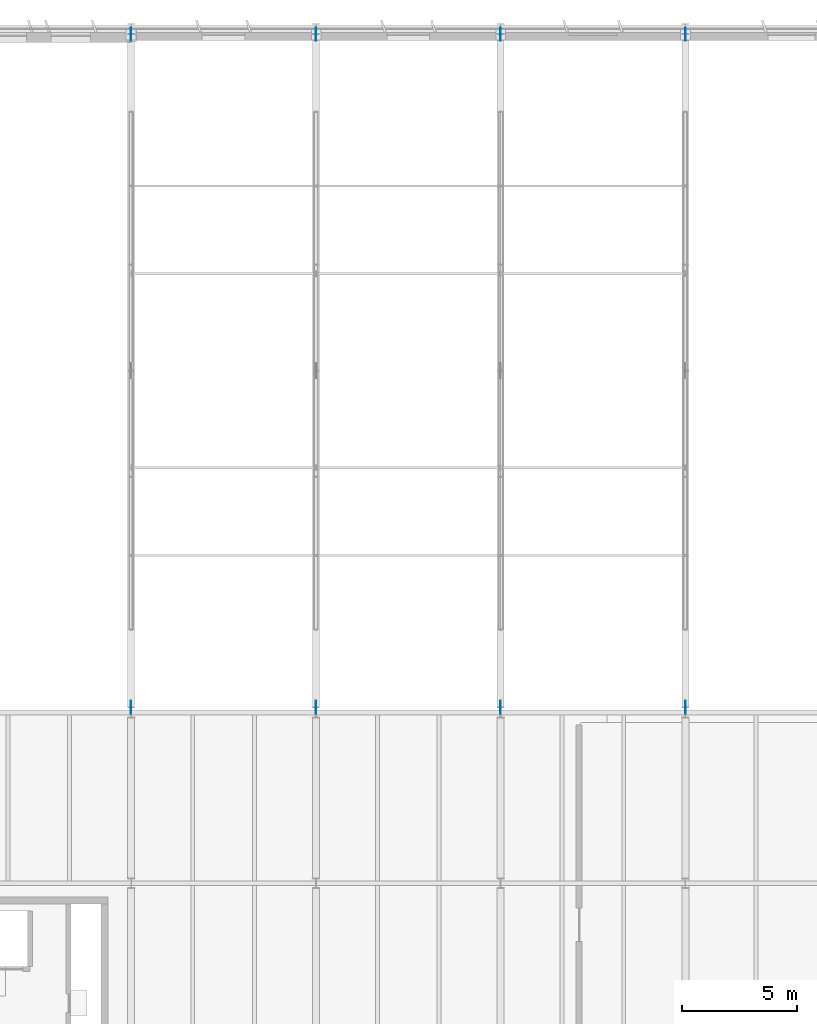
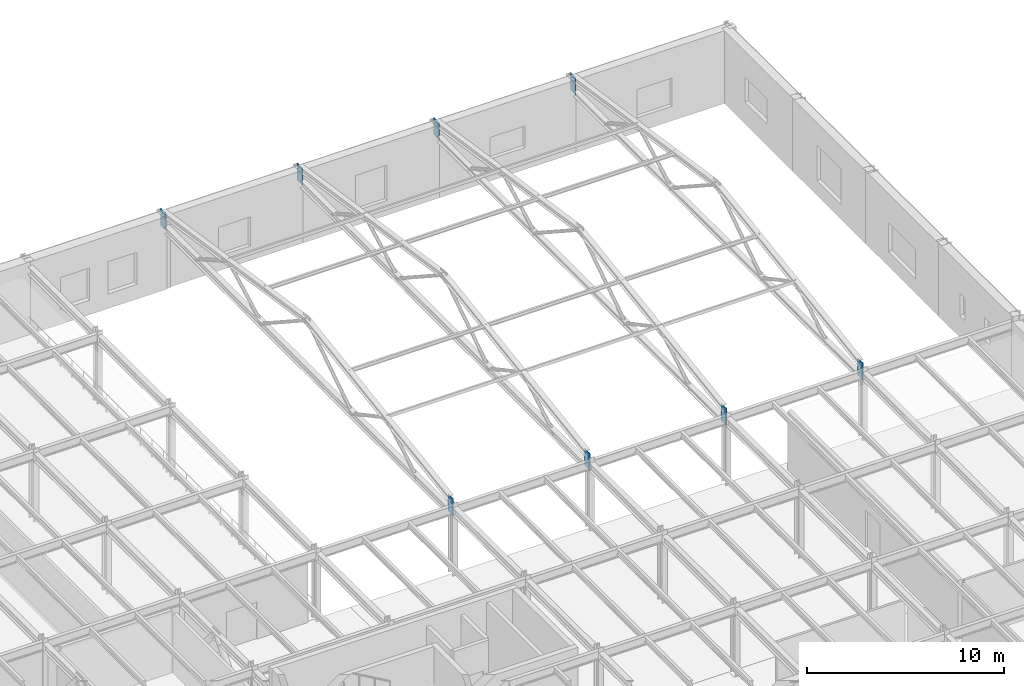
# One storey, part 33 of 75: 8 plates.
"""IFC4 building model written with IfcOpenShell, lengths in metres."""

from ifc_helpers import new_model, si_unit, direction, frame, origin, origin_2d, place, context, subcontext, project, spatial, rectangle, extrude, material, layer, layer_set, type_object, element, save


model = new_model("IFC4")

# Units and contexts
model_context = context("Model", 3, precision=1e-05, world=origin(), true_north=direction((0.0, 1.0)))
body_context = subcontext(model_context, "Body", "Model", "MODEL_VIEW")
ifc_project = project(units=[si_unit("LENGTHUNIT", "METRE"), si_unit("AREAUNIT", "SQUARE_METRE"), si_unit("VOLUMEUNIT", "CUBIC_METRE"), si_unit("PLANEANGLEUNIT", "RADIAN"), si_unit("MASSUNIT", "GRAM", prefix="KILO")], contexts=[model_context])

# Site, building, storey
site_placement = place(None, origin())
site = spatial("IfcSite", under=ifc_project, at=site_placement, CompositionType="ELEMENT")
building_placement = place(site_placement, origin())
building = spatial("IfcBuilding", under=site, at=building_placement, Name="Valkorina Park Police Headquarters", CompositionType="ELEMENT")
storey_placement = place(building_placement, frame((0.0, 0.0, 5.39990234375)))
storey = spatial("IfcBuildingStorey", under=building, at=storey_placement, Name="L02", CompositionType="ELEMENT", Elevation=5.39990234375)

# Plates
ifc_material = material(Name="Steel S355", Category="steel")
ifc_layer = layer(ifc_material, 0.02392578125)
ifc_layer_set = layer_set([ifc_layer], Name="Steel S355")
plate_type = type_object("IfcPlateType", Name="PL-GUSSET-24", PredefinedType="USERDEFINED", material=ifc_layer_set)
for number, where, z_axis, x_axis, name in (
    (1, (128.800048828125, 81.625, 3.5849609375), (0.0, 0.0, 1.0), (1.0, 0.0, 0.0), "V3 Truss South Eave Gusset Plate 83"),
    (2, (128.800048828125, 110.77490234375, 3.5849609375), (0.0, 0.0, 1.0), (1.0, 0.0, 0.0), "V3 Truss North Eave Gusset Plate 84"),
    (3, (136.800048828125, 81.625, 3.5849609375), (0.0, 0.0, 1.0), (1.0, 0.0, 0.0), "V3 Truss South Eave Gusset Plate 92"),
    (4, (136.800048828125, 110.77490234375, 3.5849609375), (0.0, 0.0, 1.0), (1.0, 0.0, 0.0), "V3 Truss North Eave Gusset Plate 93"),
    (5, (144.800048828125, 81.625, 3.5849609375), (0.0, 0.0, 1.0), (1.0, 0.0, 0.0), "V3 Truss South Eave Gusset Plate 101"),
    (6, (144.800048828125, 110.77490234375, 3.5849609375), (0.0, 0.0, 1.0), (1.0, 0.0, 0.0), "V3 Truss North Eave Gusset Plate 102"),
    (7, (152.800048828125, 81.625, 3.5849609375), (0.0, 0.0, 1.0), (1.0, 0.0, 0.0), "V3 Truss South Eave Gusset Plate 110"),
    (8, (152.800048828125, 110.77490234375, 3.5849609375), (0.0, 0.0, 1.0), (1.0, 0.0, 0.0), "V3 Truss North Eave Gusset Plate 111"),
):
    element("IfcPlate", number, at=place(storey_placement, frame(where, z_axis=z_axis, x_axis=x_axis)), inside=storey, type_object=plate_type, Name=name, ObjectType="GUSSET PLATE", PredefinedType="USERDEFINED", context=body_context, shape_type="SweptSolid", body=[
        extrude(rectangle(XDim=0.02392578125, YDim=0.550048828125, at=origin_2d()), origin(), (0.0, 0.0, 1.0), 1.050048828125),
    ])

save(model, "model.ifc")
